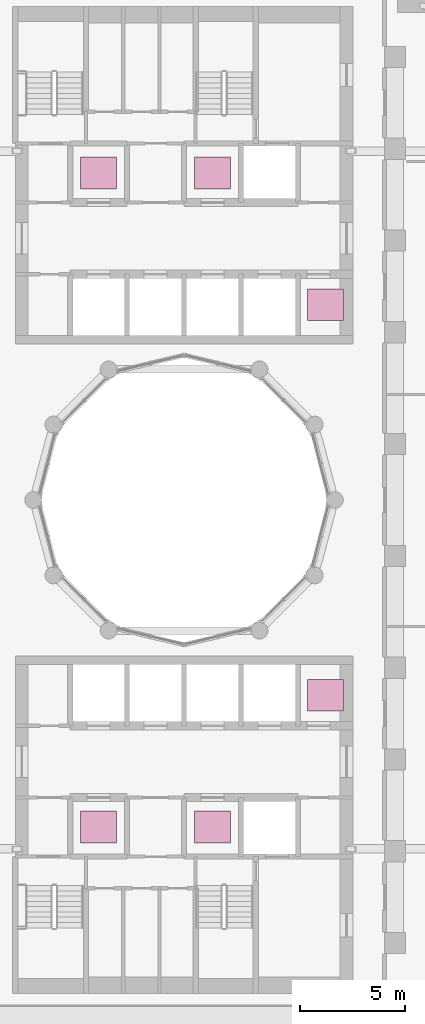
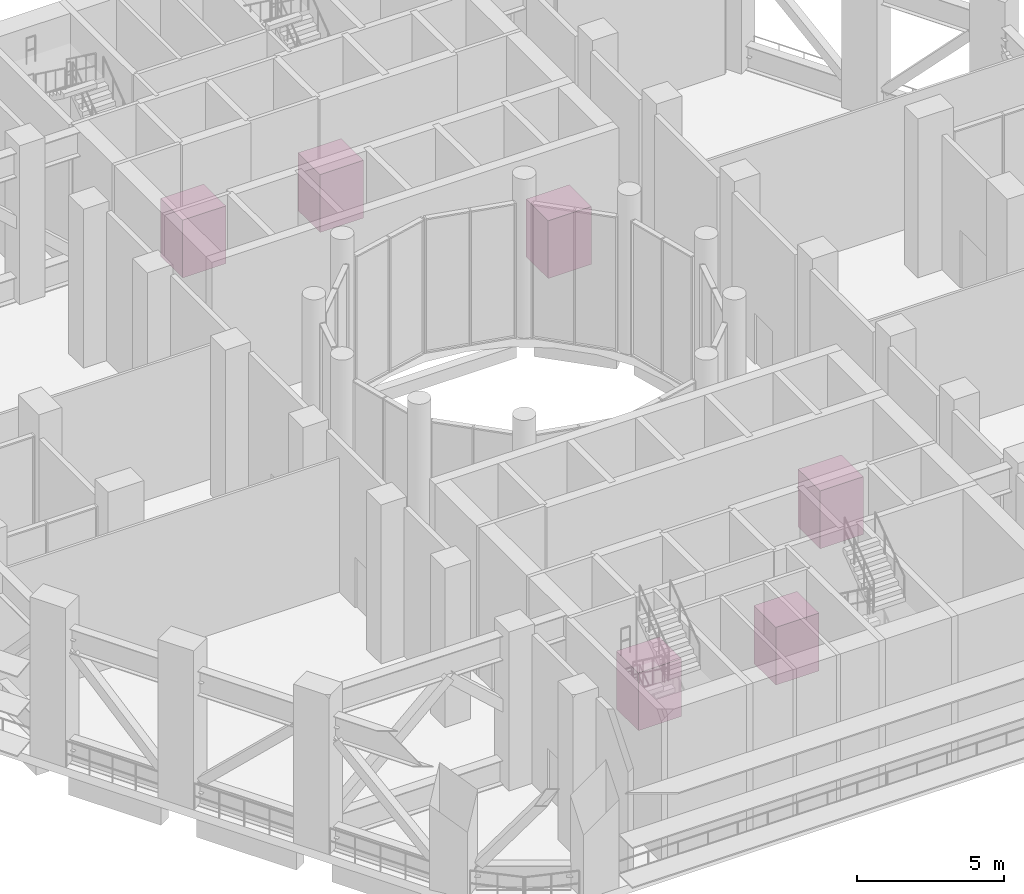
# One storey, part 21 of 21: 6 transport elements.
"""IFC4 building model written with IfcOpenShell, lengths in metres."""

from ifc_helpers import new_model, si_unit, direction, frame, origin, origin_2d, place, context, subcontext, project, spatial, rectangle, extrude, material, type_object, element, save


model = new_model("IFC4")

# Units and contexts
model_context = context("Model", 3, precision=1e-05, world=origin(), true_north=direction((0.0, 1.0)))
body_context = subcontext(model_context, "Body", "Model", "MODEL_VIEW")
ifc_project = project(units=[si_unit("LENGTHUNIT", "METRE"), si_unit("AREAUNIT", "SQUARE_METRE"), si_unit("VOLUMEUNIT", "CUBIC_METRE"), si_unit("PLANEANGLEUNIT", "RADIAN"), si_unit("MASSUNIT", "GRAM", prefix="KILO")], contexts=[model_context])

# Site, building, storey
site_placement = place(None, origin())
site = spatial("IfcSite", under=ifc_project, at=site_placement, CompositionType="ELEMENT")
building_placement = place(site_placement, origin())
building = spatial("IfcBuilding", under=site, at=building_placement, Name="Nakaniwa Court", CompositionType="ELEMENT")
storey_placement = place(building_placement, frame((0.0, 0.0, 120.60009765625)))
storey = spatial("IfcBuildingStorey", under=building, at=storey_placement, Name="S2", CompositionType="ELEMENT", Elevation=120.60009765625)

# Transport elements
ifc_material = material(Name="Brushed stainless steel and black glass lift car", Category="steel")
transport_element_type = type_object("IfcTransportElementType", Name="Passenger lift car 1700x1500", PredefinedType="ELEVATOR", material=ifc_material)
for number, where, z_axis, x_axis, name in (
    (1, (86.699951171875, 89.25, 0.0), (0.0, 0.0, 1.0), (1.0, 0.0, 0.0), "HR3-N"),
    (2, (75.949951171875, 95.5, 0.0), (0.0, 0.0, 1.0), (1.0, 0.0, 0.0), "HR1-N"),
    (3, (81.35009765625, 95.5, 0.0), (0.0, 0.0, 1.0), (1.0, 0.0, 0.0), "HR2-N"),
    (4, (86.699951171875, 70.75, 0.0), (0.0, 0.0, 1.0), (1.0, 0.0, 0.0), "HR3-S"),
    (5, (75.949951171875, 64.5, 0.0), (0.0, 0.0, 1.0), (1.0, 0.0, 0.0), "HR1-S"),
    (6, (81.35009765625, 64.5, 0.0), (0.0, 0.0, 1.0), (1.0, 0.0, 0.0), "HR2-S"),
):
    element("IfcTransportElement", number, at=place(storey_placement, frame(where, z_axis=z_axis, x_axis=x_axis)), inside=storey, type_object=transport_element_type, Name=name, PredefinedType="ELEVATOR", context=body_context, shape_type="SweptSolid", body=[
        extrude(rectangle(XDim=1.699951171875, YDim=1.5, at=origin_2d()), origin(), (0.0, 0.0, 1.0), 2.39990234375),
    ])

save(model, "model.ifc")
